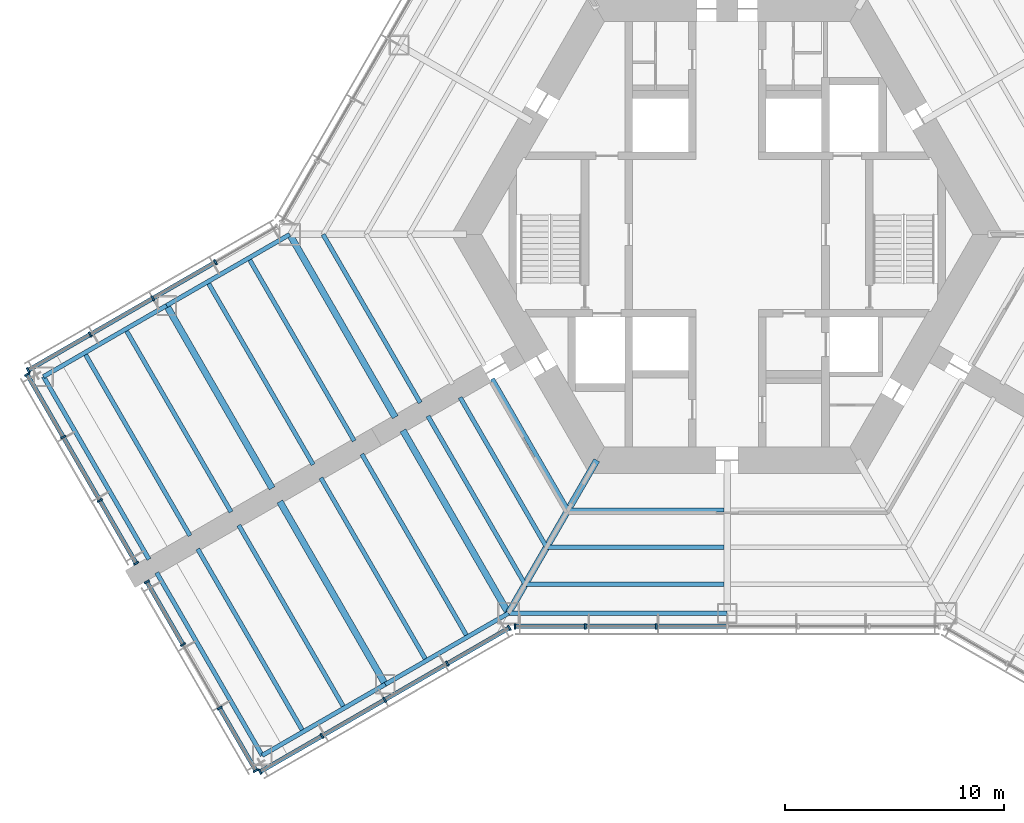
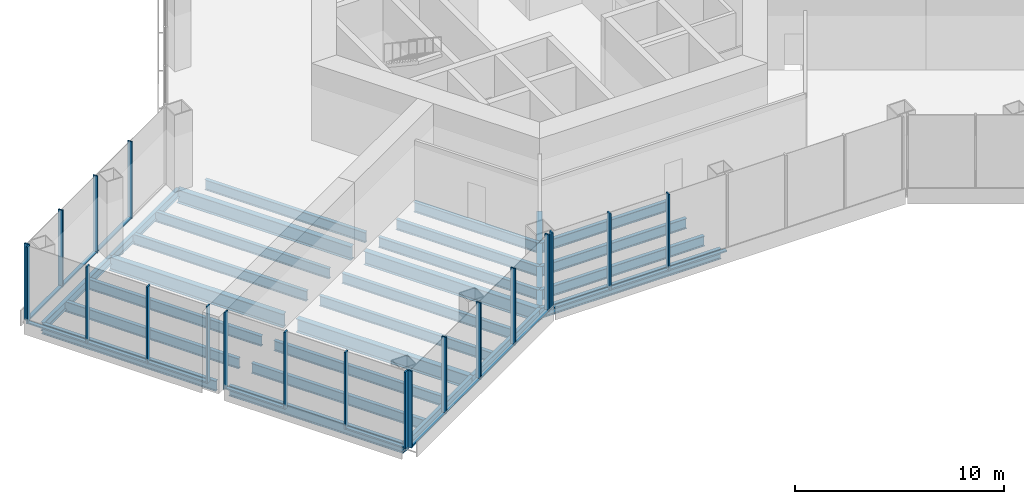
# One storey, part 2 of 13: 35 members, 27 beams, 5 elements without a shape of their own.
"""IFC4 building model written with IfcOpenShell, lengths in metres."""

from ifc_helpers import new_model, si_unit, direction, frame, origin, origin_2d, place, context, subcontext, project, spatial, rectangle, i_section, extrude, material, material_profile, profile_set, type_object, element, aggregate, save


model = new_model("IFC4")

# Units and contexts
model_context = context("Model", 3, precision=1e-05, world=origin(), true_north=direction((0.0, 1.0)))
body_context = subcontext(model_context, "Body", "Model", "MODEL_VIEW")
ifc_project = project(units=[si_unit("LENGTHUNIT", "METRE"), si_unit("AREAUNIT", "SQUARE_METRE"), si_unit("VOLUMEUNIT", "CUBIC_METRE"), si_unit("PLANEANGLEUNIT", "RADIAN"), si_unit("MASSUNIT", "GRAM", prefix="KILO")], contexts=[model_context])

# Site, building, storey
site_placement = place(None, origin())
site = spatial("IfcSite", under=ifc_project, at=site_placement, CompositionType="ELEMENT")
building_placement = place(site_placement, origin())
building = spatial("IfcBuilding", under=site, at=building_placement, Name="Kasaneha Research Tower", CompositionType="ELEMENT")
storey_placement = place(building_placement, frame((0.0, 0.0, 5.5)))
storey = spatial("IfcBuildingStorey", under=building, at=storey_placement, Name="L02", CompositionType="ELEMENT", Elevation=5.5)

# Beams
ifc_material_1 = material(Name="Steel SN490B", Category="steel")
ifc_material_profile_1 = material_profile(ifc_material_1, i_section(OverallWidth=0.199951171875, OverallDepth=0.60009765625, WebThickness=0.010986328125, FlangeThickness=0.01708984375, FilletRadius=0.012939453125, at=origin_2d()), Name="H-600x200x11x17")
ifc_profile_set_1 = profile_set([ifc_material_profile_1], Name="Steel SN490B")
beam_type_1 = type_object("IfcBeamType", Name="B1-1 secondary beam H-600x200x11x17", PredefinedType="JOIST", material=ifc_profile_set_1)
beam_1_placement = place(storey_placement, frame((-18.47509765625, 0.0, -0.5), z_axis=(0.499988779951, -0.866031881586, 0.0), x_axis=(0.866031881586, 0.499988779951, 0.0)))
element("IfcBeam", 1, at=beam_1_placement, inside=storey, type_object=beam_type_1, Name="Secondary beam RS210L3 L02", PredefinedType="JOIST", context=body_context, shape_type="SweptSolid", body=[
    extrude(i_section(OverallWidth=0.199951171875, OverallDepth=0.60009765625, WebThickness=0.010986328125, FlangeThickness=0.01708984375, FilletRadius=0.012939453125, at=origin_2d()), origin(), (0.0, 0.0, 1.0), 8.887451171875),
])
beam_2_placement = place(storey_placement, frame((-7.274658203125, -12.60009765625, -0.5), z_axis=(-0.499972710878, 0.866041158593, 0.0), x_axis=(-0.866041158593, -0.499972710878, 0.0)))
element("IfcBeam", 2, at=beam_2_placement, inside=storey, type_object=beam_type_1, Name="Secondary beam RS210R1 L02", PredefinedType="JOIST", context=body_context, shape_type="SweptSolid", body=[
    extrude(i_section(OverallWidth=0.199951171875, OverallDepth=0.60009765625, WebThickness=0.010986328125, FlangeThickness=0.01708984375, FilletRadius=0.012939453125, at=origin_2d()), origin(), (0.0, 0.0, 1.0), 6.9248046875),
])
beam_3_placement = place(storey_placement, frame((-8.256103515625, -14.300048828125, -0.5), z_axis=(-0.500004902938, 0.866022573054, 0.0), x_axis=(-0.866022573054, -0.500004902938, 0.0)))
element("IfcBeam", 3, at=beam_3_placement, inside=storey, type_object=beam_type_1, Name="Secondary beam RS210R2 L02", PredefinedType="JOIST", context=body_context, shape_type="SweptSolid", body=[
    extrude(i_section(OverallWidth=0.199951171875, OverallDepth=0.60009765625, WebThickness=0.010986328125, FlangeThickness=0.01708984375, FilletRadius=0.012939453125, at=origin_2d()), origin(), (0.0, 0.0, 1.0), 7.90625),
])
beam_4_placement = place(storey_placement, frame((-9.237548828125, -16.0, -0.5), z_axis=(-0.500009382636, 0.866019986649, 0.0), x_axis=(-0.866019986649, -0.500009382636, 0.0)))
element("IfcBeam", 4, at=beam_4_placement, inside=storey, type_object=beam_type_1, Name="Secondary beam RS210R3 L02", PredefinedType="JOIST", context=body_context, shape_type="SweptSolid", body=[
    extrude(i_section(OverallWidth=0.199951171875, OverallDepth=0.60009765625, WebThickness=0.010986328125, FlangeThickness=0.01708984375, FilletRadius=0.012939453125, at=origin_2d()), origin(), (0.0, 0.0, 1.0), 8.887451171875),
])
beam_5_placement = place(storey_placement, frame((-7.274658203125, -12.60009765625, -0.5), z_axis=(1.0, 0.0, 0.0), x_axis=(0.0, 1.0, 0.0)))
element("IfcBeam", 5, at=beam_5_placement, inside=storey, type_object=beam_type_1, Name="Secondary beam RS270L1 L02", PredefinedType="JOIST", context=body_context, shape_type="SweptSolid", body=[
    extrude(i_section(OverallWidth=0.199951171875, OverallDepth=0.60009765625, WebThickness=0.010986328125, FlangeThickness=0.01708984375, FilletRadius=0.012939453125, at=origin_2d()), origin(), (0.0, 0.0, 1.0), 7.124755859375),
])
beam_6_placement = place(storey_placement, frame((-8.256103515625, -14.300048828125, -0.5), z_axis=(1.0, 0.0, 0.0), x_axis=(0.0, 1.0, 0.0)))
element("IfcBeam", 6, at=beam_6_placement, inside=storey, type_object=beam_type_1, Name="Secondary beam RS270L2 L02", PredefinedType="JOIST", context=body_context, shape_type="SweptSolid", body=[
    extrude(i_section(OverallWidth=0.199951171875, OverallDepth=0.60009765625, WebThickness=0.010986328125, FlangeThickness=0.01708984375, FilletRadius=0.012939453125, at=origin_2d()), origin(), (0.0, 0.0, 1.0), 8.106201171875),
])
beam_7_placement = place(storey_placement, frame((-9.237548828125, -16.0, -0.5), z_axis=(1.0, 0.0, 0.0), x_axis=(0.0, 1.0, 0.0)))
element("IfcBeam", 7, at=beam_7_placement, inside=storey, type_object=beam_type_1, Name="Secondary beam RS270L3 L02", PredefinedType="JOIST", context=body_context, shape_type="SweptSolid", body=[
    extrude(i_section(OverallWidth=0.199951171875, OverallDepth=0.60009765625, WebThickness=0.010986328125, FlangeThickness=0.01708984375, FilletRadius=0.012939453125, at=origin_2d()), origin(), (0.0, 0.0, 1.0), 9.087646484375),
])
ifc_material_2 = material(Name="Steel SN490B", Category="steel")
ifc_material_profile_2 = material_profile(ifc_material_2, i_section(OverallWidth=0.198974609375, OverallDepth=0.595947265625, WebThickness=0.010009765625, FlangeThickness=0.014892578125, FilletRadius=0.012939453125, at=origin_2d()), Name="H-596x199x10x15")
ifc_profile_set_2 = profile_set([ifc_material_profile_2], Name="Steel SN490B")
beam_type_2 = type_object("IfcBeamType", Name="B2-1 secondary beam H-596x199x10x15", PredefinedType="JOIST", material=ifc_profile_set_2)
beam_8_placement = place(storey_placement, frame((-21.87646484375, -1.083251953125, -0.498046875), z_axis=(0.500013717211, -0.866017484004, 0.0), x_axis=(0.866017484004, 0.500013717211, 0.0)))
element("IfcBeam", 8, at=beam_8_placement, inside=storey, type_object=beam_type_2, Name="Secondary beam WBBP1 L02", PredefinedType="JOIST", context=body_context, shape_type="SweptSolid", body=[
    extrude(i_section(OverallWidth=0.198974609375, OverallDepth=0.595947265625, WebThickness=0.010009765625, FlangeThickness=0.014892578125, FilletRadius=0.012939453125, at=origin_2d()), origin(), (0.0, 0.0, 1.0), 9.650146484375),
])
for number, where, z_axis, x_axis, name in (
    (9, (-23.752685546875, -2.166748046875, -0.498046875), (0.499994742786, -0.866028439017, 0.0), (0.866028439017, 0.499994742786, 0.0), "Secondary beam WBBP2 L02"),
    (10, (-27.505615234375, -4.333251953125, -0.498046875), (0.499994742786, -0.866028439017, 0.0), (0.866028439017, 0.499994742786, 0.0), "Secondary beam WBBP3 L02"),
    (11, (-29.3818359375, -5.416748046875, -0.498046875), (0.499994742786, -0.866028439017, 0.0), (0.866028439017, 0.499994742786, 0.0), "Secondary beam WBBP4 L02"),
    (12, (-11.87646484375, -18.40380859375, -0.498046875), (-0.499994742786, 0.866028439017, 0.0), (-0.866028439017, -0.499994742786, 0.0), "Secondary beam WBBN1 L02"),
    (13, (-13.752685546875, -19.487060546875, -0.498046875), (-0.500024672494, 0.866011158645, 0.0), (-0.866011158645, -0.500024672494, 0.0), "Secondary beam WBBN2 L02"),
    (14, (-17.505615234375, -21.65380859375, -0.498046875), (-0.499994742786, 0.866028439017, 0.0), (-0.866028439017, -0.499994742786, 0.0), "Secondary beam WBBN3 L02"),
    (15, (-19.3818359375, -22.737060546875, -0.498046875), (-0.500024672494, 0.866011158645, 0.0), (-0.866011158645, -0.500024672494, 0.0), "Secondary beam WBBN4 L02"),
):
    element("IfcBeam", number, at=place(storey_placement, frame(where, z_axis=z_axis, x_axis=x_axis)), inside=storey, type_object=beam_type_2, Name=name, PredefinedType="JOIST", context=body_context, shape_type="SweptSolid", body=[
        extrude(i_section(OverallWidth=0.198974609375, OverallDepth=0.595947265625, WebThickness=0.010009765625, FlangeThickness=0.014892578125, FilletRadius=0.012939453125, at=origin_2d()), origin(), (0.0, 0.0, 1.0), 9.64990234375),
    ])

# Curtain wall, members
ifc_material_3 = material(Name="Glass and aluminium", Category="aluminium")
curtain_wall_type = type_object("IfcCurtainWallType", Name="Entrance hall curtain wall", PredefinedType="USERDEFINED", material=ifc_material_3)
curtain_wall_1_placement = place(storey_placement, origin())
curtain_wall_1 = element("IfcCurtainWall", 16, at=curtain_wall_1_placement, inside=storey, type_object=curtain_wall_type, Name="CW-H L02 run 01a", ObjectType="UNITISED CURTAIN WALL", PredefinedType="USERDEFINED")
ifc_material_4 = material(Name="Aluminium 6063-T6", Category="aluminium")
ifc_material_profile_3 = material_profile(ifc_material_4, rectangle(XDim=0.080078125, YDim=0.25, at=origin_2d()), Name="CW-H mullion 80x250")
ifc_profile_set_3 = profile_set([ifc_material_profile_3], Name="Aluminium 6063-T6")
member_type_1 = type_object("IfcMemberType", Name="CW-H mullion", PredefinedType="MULLION", material=ifc_profile_set_3)
member_1_placement = place(storey_placement, frame((-21.356689453125, -24.570068359375, 0.0), z_axis=(0.0, 0.0, 1.0), x_axis=(0.866025411464, 0.499999986699, 0.0)))
member_1 = element("IfcMember", 17, at=member_1_placement, type_object=member_type_1, Name="CW-H mullion 1", PredefinedType="MULLION", context=body_context, shape_type="SweptSolid", body=[
    extrude(rectangle(XDim=0.080078125, YDim=0.25, at=origin_2d()), origin(), (0.0, 0.0, 1.0), 4.5),
])
member_2_placement = place(storey_placement, frame((-18.52490234375, -22.935302734375, 0.0), z_axis=(0.0, 0.0, 1.0), x_axis=(0.866025411464, 0.499999986699, 0.0)))
member_2 = element("IfcMember", 18, at=member_2_placement, type_object=member_type_1, Name="CW-H mullion 2", PredefinedType="MULLION", context=body_context, shape_type="SweptSolid", body=[
    extrude(rectangle(XDim=0.080078125, YDim=0.25, at=origin_2d()), origin(), (0.0, 0.0, 1.0), 4.5),
])
member_3_placement = place(storey_placement, frame((-15.65869140625, -21.2802734375, 0.0), z_axis=(0.0, 0.0, 1.0), x_axis=(0.866025411464, 0.499999986699, 0.0)))
member_3 = element("IfcMember", 19, at=member_3_placement, type_object=member_type_1, Name="CW-H mullion 3", PredefinedType="MULLION", context=body_context, shape_type="SweptSolid", body=[
    extrude(rectangle(XDim=0.080078125, YDim=0.25, at=origin_2d()), origin(), (0.0, 0.0, 1.0), 4.5),
])
member_4_placement = place(storey_placement, frame((-12.792236328125, -19.62548828125, 0.0), z_axis=(0.0, 0.0, 1.0), x_axis=(0.866025411464, 0.499999986699, 0.0)))
member_4 = element("IfcMember", 20, at=member_4_placement, type_object=member_type_1, Name="CW-H mullion 4", PredefinedType="MULLION", context=body_context, shape_type="SweptSolid", body=[
    extrude(rectangle(XDim=0.080078125, YDim=0.25, at=origin_2d()), origin(), (0.0, 0.0, 1.0), 4.5),
])
member_5_placement = place(storey_placement, frame((-9.96044921875, -17.990478515625, 0.0), z_axis=(0.0, 0.0, 1.0), x_axis=(0.866025411464, 0.499999986699, 0.0)))
member_5 = element("IfcMember", 21, at=member_5_placement, type_object=member_type_1, Name="CW-H mullion 5", PredefinedType="MULLION", context=body_context, shape_type="SweptSolid", body=[
    extrude(rectangle(XDim=0.080078125, YDim=0.25, at=origin_2d()), origin(), (0.0, 0.0, 1.0), 4.5),
])

curtain_wall_2_placement = place(storey_placement, origin())
curtain_wall_2 = element("IfcCurtainWall", 22, at=curtain_wall_2_placement, inside=storey, type_object=curtain_wall_type, Name="CW-H L02 run 02a", ObjectType="UNITISED CURTAIN WALL", PredefinedType="USERDEFINED")
member_6_placement = place(storey_placement, frame((-9.69921875, -17.92041015625, 0.0), z_axis=(0.0, 0.0, 1.0), x_axis=(1.0, 0.0, 0.0)))
member_6 = element("IfcMember", 23, at=member_6_placement, type_object=member_type_1, Name="CW-H mullion 1", PredefinedType="MULLION", context=body_context, shape_type="SweptSolid", body=[
    extrude(rectangle(XDim=0.080078125, YDim=0.25, at=origin_2d()), origin(), (0.0, 0.0, 1.0), 4.5),
])
member_7_placement = place(storey_placement, frame((-6.492919921875, -17.92041015625, 0.0), z_axis=(0.0, 0.0, 1.0), x_axis=(1.0, 0.0, 0.0)))
member_7 = element("IfcMember", 24, at=member_7_placement, type_object=member_type_1, Name="CW-H mullion 2", PredefinedType="MULLION", context=body_context, shape_type="SweptSolid", body=[
    extrude(rectangle(XDim=0.080078125, YDim=0.25, at=origin_2d()), origin(), (0.0, 0.0, 1.0), 4.5),
])
member_8_placement = place(storey_placement, frame((-3.246337890625, -17.92041015625, 0.0), z_axis=(0.0, 0.0, 1.0), x_axis=(1.0, 0.0, 0.0)))
member_8 = element("IfcMember", 25, at=member_8_placement, type_object=member_type_1, Name="CW-H mullion 3", PredefinedType="MULLION", context=body_context, shape_type="SweptSolid", body=[
    extrude(rectangle(XDim=0.080078125, YDim=0.25, at=origin_2d()), origin(), (0.0, 0.0, 1.0), 4.5),
])

curtain_wall_3_placement = place(storey_placement, origin())
curtain_wall_3 = element("IfcCurtainWall", 26, at=curtain_wall_3_placement, inside=storey, type_object=curtain_wall_type, Name="CW-H L02 run 13a", ObjectType="UNITISED CURTAIN WALL", PredefinedType="USERDEFINED")
member_9_placement = place(storey_placement, frame((-23.39208984375, -1.265625, 0.0), z_axis=(0.0, 0.0, 1.0), x_axis=(-0.866025411464, -0.499999986699, 0.0)))
member_9 = element("IfcMember", 27, at=member_9_placement, type_object=member_type_1, Name="CW-H mullion 2", PredefinedType="MULLION", context=body_context, shape_type="SweptSolid", body=[
    extrude(rectangle(XDim=0.080078125, YDim=0.25, at=origin_2d()), origin(), (0.0, 0.0, 1.0), 4.5),
])
member_10_placement = place(storey_placement, frame((-26.258544921875, -2.920654296875, 0.0), z_axis=(0.0, 0.0, 1.0), x_axis=(-0.866025411464, -0.499999986699, 0.0)))
member_10 = element("IfcMember", 28, at=member_10_placement, type_object=member_type_1, Name="CW-H mullion 3", PredefinedType="MULLION", context=body_context, shape_type="SweptSolid", body=[
    extrude(rectangle(XDim=0.080078125, YDim=0.25, at=origin_2d()), origin(), (0.0, 0.0, 1.0), 4.5),
])
member_11_placement = place(storey_placement, frame((-29.125, -4.575439453125, 0.0), z_axis=(0.0, 0.0, 1.0), x_axis=(-0.866025411464, -0.499999986699, 0.0)))
member_11 = element("IfcMember", 29, at=member_11_placement, type_object=member_type_1, Name="CW-H mullion 4", PredefinedType="MULLION", context=body_context, shape_type="SweptSolid", body=[
    extrude(rectangle(XDim=0.080078125, YDim=0.25, at=origin_2d()), origin(), (0.0, 0.0, 1.0), 4.5),
])
member_12_placement = place(storey_placement, frame((-31.956787109375, -6.21044921875, 0.0), z_axis=(0.0, 0.0, 1.0), x_axis=(-0.866025411464, -0.499999986699, 0.0)))
member_12 = element("IfcMember", 30, at=member_12_placement, type_object=member_type_1, Name="CW-H mullion 5", PredefinedType="MULLION", context=body_context, shape_type="SweptSolid", body=[
    extrude(rectangle(XDim=0.080078125, YDim=0.25, at=origin_2d()), origin(), (0.0, 0.0, 1.0), 4.5),
])

curtain_wall_4_placement = place(storey_placement, origin())
curtain_wall_4 = element("IfcCurtainWall", 31, at=curtain_wall_4_placement, inside=storey, type_object=curtain_wall_type, Name="CW-H L02 run 14a", ObjectType="UNITISED CURTAIN WALL", PredefinedType="USERDEFINED")
member_13_placement = place(storey_placement, frame((-32.008056640625, -6.401611328125, 0.0), z_axis=(0.0, 0.0, 1.0), x_axis=(0.500000011442, -0.866025397178, 0.0)))
member_13 = element("IfcMember", 32, at=member_13_placement, type_object=member_type_1, Name="CW-H mullion 1", PredefinedType="MULLION", context=body_context, shape_type="SweptSolid", body=[
    extrude(rectangle(XDim=0.080078125, YDim=0.25, at=origin_2d()), origin(), (0.0, 0.0, 1.0), 4.5),
])
member_14_placement = place(storey_placement, frame((-30.35302734375, -9.26806640625, 0.0), z_axis=(0.0, 0.0, 1.0), x_axis=(0.500000011442, -0.866025397178, 0.0)))
member_14 = element("IfcMember", 33, at=member_14_placement, type_object=member_type_1, Name="CW-H mullion 2", PredefinedType="MULLION", context=body_context, shape_type="SweptSolid", body=[
    extrude(rectangle(XDim=0.080078125, YDim=0.25, at=origin_2d()), origin(), (0.0, 0.0, 1.0), 4.5),
])
member_15_placement = place(storey_placement, frame((-28.677978515625, -12.16943359375, 0.0), z_axis=(0.0, 0.0, 1.0), x_axis=(0.500000011442, -0.866025397178, 0.0)))
member_15 = element("IfcMember", 34, at=member_15_placement, type_object=member_type_1, Name="CW-H mullion 3", PredefinedType="MULLION", context=body_context, shape_type="SweptSolid", body=[
    extrude(rectangle(XDim=0.080078125, YDim=0.25, at=origin_2d()), origin(), (0.0, 0.0, 1.0), 4.5),
])
member_16_placement = place(storey_placement, frame((-27.02294921875, -15.035888671875, 0.0), z_axis=(0.0, 0.0, 1.0), x_axis=(0.500000011442, -0.866025397178, 0.0)))
member_16 = element("IfcMember", 35, at=member_16_placement, type_object=member_type_1, Name="CW-H mullion 4", PredefinedType="MULLION", context=body_context, shape_type="SweptSolid", body=[
    extrude(rectangle(XDim=0.080078125, YDim=0.25, at=origin_2d()), origin(), (0.0, 0.0, 1.0), 4.5),
])

curtain_wall_5_placement = place(storey_placement, origin())
curtain_wall_5 = element("IfcCurtainWall", 36, at=curtain_wall_5_placement, inside=storey, type_object=curtain_wall_type, Name="CW-H L02 run 15a", ObjectType="UNITISED CURTAIN WALL", PredefinedType="USERDEFINED")
member_17_placement = place(storey_placement, frame((-26.532958984375, -15.884521484375, 0.0), z_axis=(0.0, 0.0, 1.0), x_axis=(0.500000011442, -0.866025397178, 0.0)))
member_17 = element("IfcMember", 37, at=member_17_placement, type_object=member_type_1, Name="CW-H mullion 1", PredefinedType="MULLION", context=body_context, shape_type="SweptSolid", body=[
    extrude(rectangle(XDim=0.080078125, YDim=0.25, at=origin_2d()), origin(), (0.0, 0.0, 1.0), 4.5),
])
member_18_placement = place(storey_placement, frame((-24.8779296875, -18.751220703125, 0.0), z_axis=(0.0, 0.0, 1.0), x_axis=(0.500000011442, -0.866025397178, 0.0)))
member_18 = element("IfcMember", 38, at=member_18_placement, type_object=member_type_1, Name="CW-H mullion 2", PredefinedType="MULLION", context=body_context, shape_type="SweptSolid", body=[
    extrude(rectangle(XDim=0.080078125, YDim=0.25, at=origin_2d()), origin(), (0.0, 0.0, 1.0), 4.5),
])
member_19_placement = place(storey_placement, frame((-23.202880859375, -21.65234375, 0.0), z_axis=(0.0, 0.0, 1.0), x_axis=(0.500000011442, -0.866025397178, 0.0)))
member_19 = element("IfcMember", 39, at=member_19_placement, type_object=member_type_1, Name="CW-H mullion 3", PredefinedType="MULLION", context=body_context, shape_type="SweptSolid", body=[
    extrude(rectangle(XDim=0.080078125, YDim=0.25, at=origin_2d()), origin(), (0.0, 0.0, 1.0), 4.5),
])
member_20_placement = place(storey_placement, frame((-21.5478515625, -24.518798828125, 0.0), z_axis=(0.0, 0.0, 1.0), x_axis=(0.500000011442, -0.866025397178, 0.0)))
member_20 = element("IfcMember", 40, at=member_20_placement, type_object=member_type_1, Name="CW-H mullion 4", PredefinedType="MULLION", context=body_context, shape_type="SweptSolid", body=[
    extrude(rectangle(XDim=0.080078125, YDim=0.25, at=origin_2d()), origin(), (0.0, 0.0, 1.0), 4.5),
])

# Member
ifc_material_5 = material(Name="Aluminium 6063-T6", Category="aluminium")
ifc_material_profile_4 = material_profile(ifc_material_5, rectangle(XDim=0.199951171875, YDim=0.080078125, at=origin_2d()), Name="CW-H transom 200x80")
ifc_profile_set_4 = profile_set([ifc_material_profile_4], Name="Aluminium 6063-T6")
member_type_2 = type_object("IfcMemberType", Name="CW-H transom", PredefinedType="USERDEFINED", material=ifc_profile_set_4)
member_21_placement = place(storey_placement, frame((-21.322021484375, -24.550048828125, 0.0400390625), z_axis=(0.866049209109, 0.499958765701, 0.0), x_axis=(-0.499958765701, 0.866049209109, 0.0)))
member_21 = element("IfcMember", 41, at=member_21_placement, type_object=member_type_2, Name="CW-H transom 1", ObjectType="TRANSOM", PredefinedType="USERDEFINED", context=body_context, shape_type="SweptSolid", body=[
    extrude(rectangle(XDim=0.199951171875, YDim=0.080078125, at=origin_2d()), origin(), (0.0, 0.0, 1.0), 3.189697265625),
])

member_22_placement = place(storey_placement, frame((-18.490234375, -22.915283203125, 0.0400390625), z_axis=(0.866015650984, 0.500016891966, 0.0), x_axis=(-0.500016891966, 0.866015650984, 0.0)))
member_22 = element("IfcMember", 42, at=member_22_placement, type_object=member_type_2, Name="CW-H transom 2", ObjectType="TRANSOM", PredefinedType="USERDEFINED", context=body_context, shape_type="SweptSolid", body=[
    extrude(rectangle(XDim=0.199951171875, YDim=0.080078125, at=origin_2d()), origin(), (0.0, 0.0, 1.0), 3.22998046875),
])

member_23_placement = place(storey_placement, frame((-15.6240234375, -21.26025390625, 0.0400390625), z_axis=(0.866048381815, 0.499960198771, 0.0), x_axis=(-0.499960198771, 0.866048381815, 0.0)))
member_23 = element("IfcMember", 43, at=member_23_placement, type_object=member_type_2, Name="CW-H transom 3", ObjectType="TRANSOM", PredefinedType="USERDEFINED", context=body_context, shape_type="SweptSolid", body=[
    extrude(rectangle(XDim=0.199951171875, YDim=0.080078125, at=origin_2d()), origin(), (0.0, 0.0, 1.0), 3.229736328125),
])

member_24_placement = place(storey_placement, frame((-12.757568359375, -19.60546875, 0.0400390625), z_axis=(0.866016067539, 0.500016170502, 0.0), x_axis=(-0.500016170502, 0.866016067539, 0.0)))
member_24 = element("IfcMember", 44, at=member_24_placement, type_object=member_type_2, Name="CW-H transom 4", ObjectType="TRANSOM", PredefinedType="USERDEFINED", context=body_context, shape_type="SweptSolid", body=[
    extrude(rectangle(XDim=0.199951171875, YDim=0.080078125, at=origin_2d()), origin(), (0.0, 0.0, 1.0), 3.18994140625),
])

aggregate(curtain_wall_1, [member_1, member_2, member_3, member_4, member_5, member_21, member_22, member_23, member_24])

member_25_placement = place(storey_placement, frame((-9.6591796875, -17.92041015625, 0.0400390625), z_axis=(1.0, 0.0, 0.0), x_axis=(0.0, 1.0, 0.0)))
member_25 = element("IfcMember", 45, at=member_25_placement, type_object=member_type_2, Name="CW-H transom 1", ObjectType="TRANSOM", PredefinedType="USERDEFINED", context=body_context, shape_type="SweptSolid", body=[
    extrude(rectangle(XDim=0.199951171875, YDim=0.080078125, at=origin_2d()), origin(), (0.0, 0.0, 1.0), 3.12646484375),
])

member_26_placement = place(storey_placement, frame((-6.452880859375, -17.92041015625, 0.0400390625), z_axis=(1.0, 0.0, 0.0), x_axis=(0.0, 1.0, 0.0)))
member_26 = element("IfcMember", 46, at=member_26_placement, type_object=member_type_2, Name="CW-H transom 2", ObjectType="TRANSOM", PredefinedType="USERDEFINED", context=body_context, shape_type="SweptSolid", body=[
    extrude(rectangle(XDim=0.199951171875, YDim=0.080078125, at=origin_2d()), origin(), (0.0, 0.0, 1.0), 3.16650390625),
])

member_27_placement = place(storey_placement, frame((-3.206298828125, -17.92041015625, 0.0400390625), z_axis=(1.0, 0.0, 0.0), x_axis=(0.0, 1.0, 0.0)))
member_27 = element("IfcMember", 47, at=member_27_placement, type_object=member_type_2, Name="CW-H transom 3", ObjectType="TRANSOM", PredefinedType="USERDEFINED", context=body_context, shape_type="SweptSolid", body=[
    extrude(rectangle(XDim=0.199951171875, YDim=0.080078125, at=origin_2d()), origin(), (0.0, 0.0, 1.0), 3.166259765625),
])

aggregate(curtain_wall_2, [member_6, member_7, member_8, member_25, member_26, member_27])

member_28_placement = place(storey_placement, frame((-23.4267578125, -1.28564453125, 0.0400390625), z_axis=(-0.866015650984, -0.500016891966, 0.0), x_axis=(0.500016891966, -0.866015650984, 0.0)))
member_28 = element("IfcMember", 48, at=member_28_placement, type_object=member_type_2, Name="CW-H transom 2", ObjectType="TRANSOM", PredefinedType="USERDEFINED", context=body_context, shape_type="SweptSolid", body=[
    extrude(rectangle(XDim=0.199951171875, YDim=0.080078125, at=origin_2d()), origin(), (0.0, 0.0, 1.0), 3.22998046875),
])

member_29_placement = place(storey_placement, frame((-26.293212890625, -2.940673828125, 0.0400390625), z_axis=(-0.866048381815, -0.499960198771, 0.0), x_axis=(0.499960198771, -0.866048381815, 0.0)))
member_29 = element("IfcMember", 49, at=member_29_placement, type_object=member_type_2, Name="CW-H transom 3", ObjectType="TRANSOM", PredefinedType="USERDEFINED", context=body_context, shape_type="SweptSolid", body=[
    extrude(rectangle(XDim=0.199951171875, YDim=0.080078125, at=origin_2d()), origin(), (0.0, 0.0, 1.0), 3.229736328125),
])

member_30_placement = place(storey_placement, frame((-29.15966796875, -4.595458984375, 0.0400390625), z_axis=(-0.866016067539, -0.500016170502, 0.0), x_axis=(0.500016170502, -0.866016067539, 0.0)))
member_30 = element("IfcMember", 50, at=member_30_placement, type_object=member_type_2, Name="CW-H transom 4", ObjectType="TRANSOM", PredefinedType="USERDEFINED", context=body_context, shape_type="SweptSolid", body=[
    extrude(rectangle(XDim=0.199951171875, YDim=0.080078125, at=origin_2d()), origin(), (0.0, 0.0, 1.0), 3.18994140625),
])

aggregate(curtain_wall_3, [member_9, member_10, member_11, member_12, member_28, member_29, member_30])

member_31_placement = place(storey_placement, frame((-31.988037109375, -6.436279296875, 0.0400390625), z_axis=(0.499984162302, -0.866034547491, 0.0), x_axis=(0.866034547491, 0.499984162302, 0.0)))
member_31 = element("IfcMember", 51, at=member_31_placement, type_object=member_type_2, Name="CW-H transom 1", ObjectType="TRANSOM", PredefinedType="USERDEFINED", context=body_context, shape_type="SweptSolid", body=[
    extrude(rectangle(XDim=0.199951171875, YDim=0.080078125, at=origin_2d()), origin(), (0.0, 0.0, 1.0), 3.22998046875),
])

member_32_placement = place(storey_placement, frame((-30.3330078125, -9.302734375, 0.0400390625), z_axis=(0.499985266753, -0.866033909861, 0.0), x_axis=(0.866033909861, 0.499985266753, 0.0)))
member_32 = element("IfcMember", 52, at=member_32_placement, type_object=member_type_2, Name="CW-H transom 2", ObjectType="TRANSOM", PredefinedType="USERDEFINED", context=body_context, shape_type="SweptSolid", body=[
    extrude(rectangle(XDim=0.199951171875, YDim=0.080078125, at=origin_2d()), origin(), (0.0, 0.0, 1.0), 3.27001953125),
])

member_33_placement = place(storey_placement, frame((-28.657958984375, -12.2041015625, 0.0400390625), z_axis=(0.500016891966, -0.866015650984, 0.0), x_axis=(0.866015650984, 0.500016891966, 0.0)))
member_33 = element("IfcMember", 53, at=member_33_placement, type_object=member_type_2, Name="CW-H transom 3", ObjectType="TRANSOM", PredefinedType="USERDEFINED", context=body_context, shape_type="SweptSolid", body=[
    extrude(rectangle(XDim=0.199951171875, YDim=0.080078125, at=origin_2d()), origin(), (0.0, 0.0, 1.0), 3.22998046875),
])

aggregate(curtain_wall_4, [member_13, member_14, member_15, member_16, member_31, member_32, member_33])

member_34_placement = place(storey_placement, frame((-26.512939453125, -15.919189453125, 0.0400390625), z_axis=(0.499984162302, -0.866034547491, 0.0), x_axis=(0.866034547491, 0.499984162302, 0.0)))
member_34 = element("IfcMember", 54, at=member_34_placement, type_object=member_type_2, Name="CW-H transom 1", ObjectType="TRANSOM", PredefinedType="USERDEFINED", context=body_context, shape_type="SweptSolid", body=[
    extrude(rectangle(XDim=0.199951171875, YDim=0.080078125, at=origin_2d()), origin(), (0.0, 0.0, 1.0), 3.22998046875),
])

member_35_placement = place(storey_placement, frame((-23.182861328125, -21.68701171875, 0.0400390625), z_axis=(0.500016891966, -0.866015650984, 0.0), x_axis=(0.866015650984, 0.500016891966, 0.0)))
member_35 = element("IfcMember", 55, at=member_35_placement, type_object=member_type_2, Name="CW-H transom 3", ObjectType="TRANSOM", PredefinedType="USERDEFINED", context=body_context, shape_type="SweptSolid", body=[
    extrude(rectangle(XDim=0.199951171875, YDim=0.080078125, at=origin_2d()), origin(), (0.0, 0.0, 1.0), 3.22998046875),
])

aggregate(curtain_wall_5, [member_17, member_18, member_19, member_20, member_34, member_35])

# Beams
ifc_material_6 = material(Name="Steel SN490B", Category="steel")
ifc_material_profile_5 = material_profile(ifc_material_6, i_section(OverallWidth=0.300048828125, OverallDepth=0.699951171875, WebThickness=0.012939453125, FlangeThickness=0.02392578125, FilletRadius=0.01806640625, at=origin_2d()), Name="H-700x300x13x24")
ifc_profile_set_5 = profile_set([ifc_material_profile_5], Name="Steel SN490B")
beam_type_3 = type_object("IfcBeamType", Name="G1-1 radial girder H-700x300x13x24", PredefinedType="BEAM", material=ifc_profile_set_5)
beam_9_placement = place(storey_placement, frame((-5.961181640625, -10.324951171875, -0.550048828125), z_axis=(-0.49999105496, -0.866030568144, 0.0), x_axis=(0.866030568144, -0.49999105496, 0.0)))
element("IfcBeam", 56, at=beam_9_placement, inside=storey, type_object=beam_type_3, Name="Radial girder RV240 L02", PredefinedType="BEAM", context=body_context, shape_type="SweptSolid", body=[
    extrude(i_section(OverallWidth=0.300048828125, OverallDepth=0.699951171875, WebThickness=0.012939453125, FlangeThickness=0.02392578125, FilletRadius=0.01806640625, at=origin_2d()), origin(), (0.0, 0.0, 1.0), 8.077880859375),
])
ifc_material_7 = material(Name="Steel SN490B", Category="steel")
ifc_material_profile_6 = material_profile(ifc_material_7, i_section(OverallWidth=0.300048828125, OverallDepth=0.7919921875, WebThickness=0.013916015625, FlangeThickness=0.02197265625, FilletRadius=0.01806640625, at=origin_2d()), Name="H-792x300x14x22")
ifc_profile_set_6 = profile_set([ifc_material_profile_6], Name="Steel SN490B")
beam_type_4 = type_object("IfcBeamType", Name="G3-1 plate edge girder H-792x300x14x22", PredefinedType="BEAM", material=ifc_profile_set_6)
for number, where, z_axis, x_axis, name in (
    (57, (-20.0, 0.0, -0.595947265625), (0.499994742786, -0.866028439017, 0.0), (0.866028439017, 0.499994742786, 0.0), "Plate edge girder PEBP L02"),
    (58, (-10.0, -17.320556640625, -0.595947265625), (-0.499994742786, 0.866028439017, 0.0), (-0.866028439017, -0.499994742786, 0.0), "Plate edge girder PEBN L02"),
):
    element("IfcBeam", number, at=place(storey_placement, frame(where, z_axis=z_axis, x_axis=x_axis)), inside=storey, type_object=beam_type_4, Name=name, PredefinedType="BEAM", context=body_context, shape_type="SweptSolid", body=[
        extrude(i_section(OverallWidth=0.300048828125, OverallDepth=0.7919921875, WebThickness=0.013916015625, FlangeThickness=0.02197265625, FilletRadius=0.01806640625, at=origin_2d()), origin(), (0.0, 0.0, 1.0), 9.64990234375),
    ])
ifc_material_8 = material(Name="Steel SN490B", Category="steel")
ifc_material_profile_7 = material_profile(ifc_material_8, i_section(OverallWidth=0.300048828125, OverallDepth=0.800048828125, WebThickness=0.013916015625, FlangeThickness=0.02587890625, FilletRadius=0.01806640625, at=origin_2d()), Name="H-800x300x14x26")
ifc_profile_set_7 = profile_set([ifc_material_profile_7], Name="Steel SN490B")
beam_type_5 = type_object("IfcBeamType", Name="G4-1 wing girder H-800x300x14x26", PredefinedType="BEAM", material=ifc_profile_set_7)
for number, where, z_axis, x_axis, name in (
    (59, (-25.629150390625, -3.25, -0.60009765625), (0.499994742786, -0.866028439017, 0.0), (0.866028439017, 0.499994742786, 0.0), "Wing girder WGBP L02"),
    (60, (-15.629150390625, -20.570556640625, -0.60009765625), (-0.499994742786, 0.866028439017, 0.0), (-0.866028439017, -0.499994742786, 0.0), "Wing girder WGBN L02"),
):
    element("IfcBeam", number, at=place(storey_placement, frame(where, z_axis=z_axis, x_axis=x_axis)), inside=storey, type_object=beam_type_5, Name=name, PredefinedType="BEAM", context=body_context, shape_type="SweptSolid", body=[
        extrude(i_section(OverallWidth=0.300048828125, OverallDepth=0.800048828125, WebThickness=0.013916015625, FlangeThickness=0.02587890625, FilletRadius=0.01806640625, at=origin_2d()), origin(), (0.0, 0.0, 1.0), 9.64990234375),
    ])
ifc_material_9 = material(Name="Steel SN490B", Category="steel")
ifc_material_profile_8 = material_profile(ifc_material_9, i_section(OverallWidth=0.199951171875, OverallDepth=0.60009765625, WebThickness=0.010986328125, FlangeThickness=0.01708984375, FilletRadius=0.012939453125, at=origin_2d()), Name="H-600x200x11x17")
ifc_profile_set_8 = profile_set([ifc_material_profile_8], Name="Steel SN490B")
beam_type_6 = type_object("IfcBeamType", Name="SB1-1 spandrel beam H-600x200x11x17", PredefinedType="SPANDREL", material=ifc_profile_set_8)
beam_10_placement = place(storey_placement, frame((-10.0, -17.320556640625, -0.5), z_axis=(1.0, 0.0, 0.0), x_axis=(0.0, 1.0, 0.0)))
element("IfcBeam", 61, at=beam_10_placement, inside=storey, type_object=beam_type_6, Name="Spandrel beam SR270L L02", PredefinedType="SPANDREL", context=body_context, shape_type="SweptSolid", body=[
    extrude(i_section(OverallWidth=0.199951171875, OverallDepth=0.60009765625, WebThickness=0.010986328125, FlangeThickness=0.01708984375, FilletRadius=0.012939453125, at=origin_2d()), origin(), (0.0, 0.0, 1.0), 10.0),
])
ifc_material_10 = material(Name="Steel SN490B", Category="steel")
ifc_material_profile_9 = material_profile(ifc_material_10, i_section(OverallWidth=0.199951171875, OverallDepth=0.5, WebThickness=0.010009765625, FlangeThickness=0.01611328125, FilletRadius=0.012939453125, at=origin_2d()), Name="H-500x200x10x16")
ifc_profile_set_9 = profile_set([ifc_material_profile_9], Name="Steel SN490B")
beam_type_7 = type_object("IfcBeamType", Name="SB2-1 spandrel beam H-500x200x10x16", PredefinedType="SPANDREL", material=ifc_profile_set_9)
for number, where, z_axis, x_axis, name in (
    (62, (-20.0, 0.0, -0.449951171875), (-0.866024837091, -0.50000098154, 0.0), (0.50000098154, -0.866024837091, 0.0), "Spandrel beam WSBP1 L02"),
    (63, (-25.629150390625, -3.25, -0.449951171875), (-0.866024837091, -0.50000098154, 0.0), (0.50000098154, -0.866024837091, 0.0), "Spandrel beam WSBP2 L02"),
    (64, (-10.0, -17.320556640625, -0.449951171875), (-0.866024837091, -0.50000098154, 0.0), (0.50000098154, -0.866024837091, 0.0), "Spandrel beam WSBN1 L02"),
    (65, (-15.629150390625, -20.570556640625, -0.449951171875), (-0.866024837091, -0.50000098154, 0.0), (0.50000098154, -0.866024837091, 0.0), "Spandrel beam WSBN2 L02"),
):
    element("IfcBeam", number, at=place(storey_placement, frame(where, z_axis=z_axis, x_axis=x_axis)), inside=storey, type_object=beam_type_7, Name=name, PredefinedType="SPANDREL", context=body_context, shape_type="SweptSolid", body=[
        extrude(i_section(OverallWidth=0.199951171875, OverallDepth=0.5, WebThickness=0.010009765625, FlangeThickness=0.01611328125, FilletRadius=0.012939453125, at=origin_2d()), origin(), (0.0, 0.0, 1.0), 6.5),
    ])
ifc_material_11 = material(Name="Steel SN490B", Category="steel")
ifc_material_profile_10 = material_profile(ifc_material_11, i_section(OverallWidth=0.199951171875, OverallDepth=0.60009765625, WebThickness=0.010986328125, FlangeThickness=0.01708984375, FilletRadius=0.012939453125, at=origin_2d()), Name="H-600x200x11x17")
ifc_profile_set_10 = profile_set([ifc_material_profile_10], Name="Steel SN490B")
beam_type_8 = type_object("IfcBeamType", Name="SB3-1 spandrel beam H-600x200x11x17", PredefinedType="SPANDREL", material=ifc_profile_set_10)
for number, where, z_axis, x_axis, name in (
    (66, (-31.25830078125, -6.5, -0.5), (0.499994742786, -0.866028439017, 0.0), (0.866028439017, 0.499994742786, 0.0), "Spandrel beam WTBP L02"),
    (67, (-21.25830078125, -23.820556640625, -0.5), (-0.499994742786, 0.866028439017, 0.0), (-0.866028439017, -0.499994742786, 0.0), "Spandrel beam WTBN L02"),
):
    element("IfcBeam", number, at=place(storey_placement, frame(where, z_axis=z_axis, x_axis=x_axis)), inside=storey, type_object=beam_type_8, Name=name, PredefinedType="SPANDREL", context=body_context, shape_type="SweptSolid", body=[
        extrude(i_section(OverallWidth=0.199951171875, OverallDepth=0.60009765625, WebThickness=0.010986328125, FlangeThickness=0.01708984375, FilletRadius=0.012939453125, at=origin_2d()), origin(), (0.0, 0.0, 1.0), 9.64990234375),
    ])

save(model, "model.ifc")
